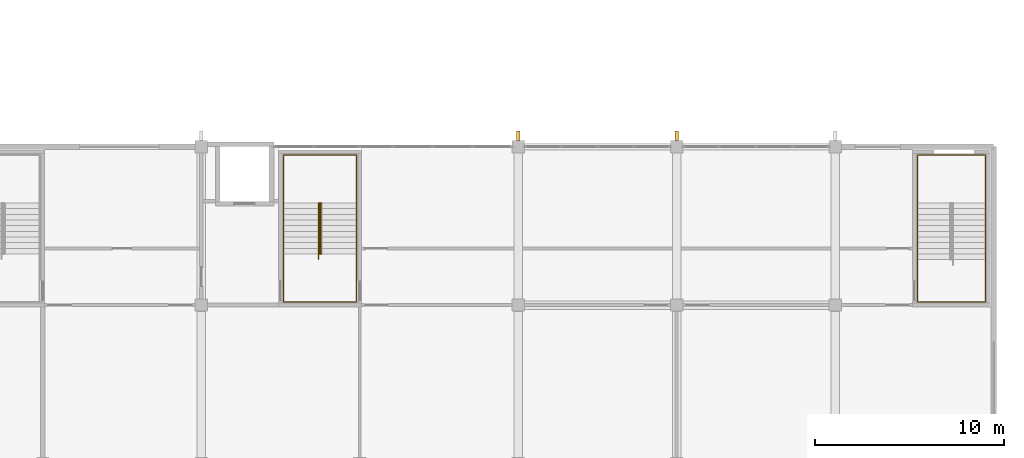
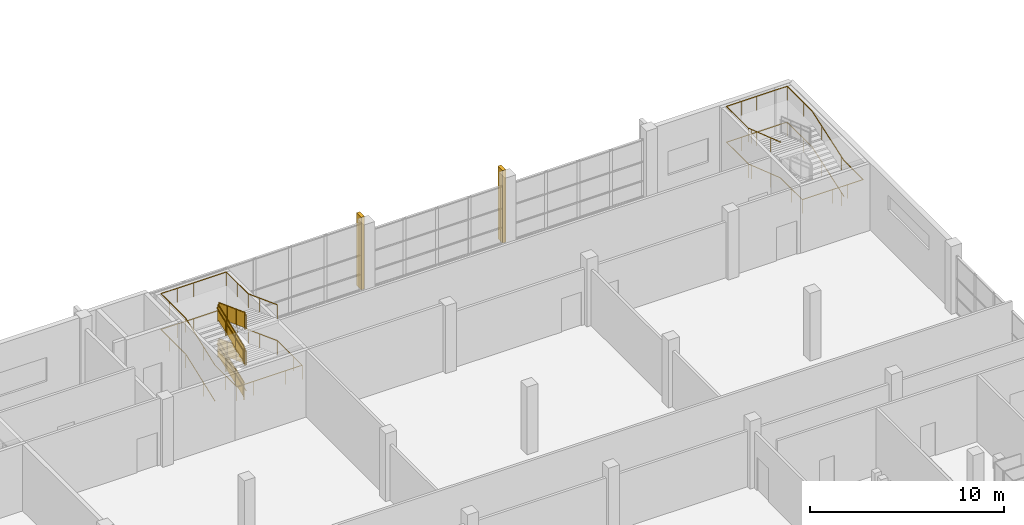
# One storey, part 58 of 64: 7 railings, 2 shading devices.
"""IFC4 building model written with IfcOpenShell, lengths in metres."""

from ifc_helpers import new_model, si_unit, direction, frame, origin, origin_2d, place, context, subcontext, project, spatial, polyline, rectangle, circle, outline, extrude, material, material_profile, profile_set, type_object, element, save


model = new_model("IFC4")

# Units and contexts
model_context = context("Model", 3, precision=1e-05, world=origin(), true_north=direction((0.0, 1.0)))
body_context = subcontext(model_context, "Body", "Model", "MODEL_VIEW")
ifc_project = project(units=[si_unit("LENGTHUNIT", "METRE"), si_unit("AREAUNIT", "SQUARE_METRE"), si_unit("VOLUMEUNIT", "CUBIC_METRE"), si_unit("PLANEANGLEUNIT", "RADIAN"), si_unit("MASSUNIT", "GRAM", prefix="KILO")], contexts=[model_context])

# Site, building, storey
site_placement = place(None, origin())
site = spatial("IfcSite", under=ifc_project, at=site_placement, CompositionType="ELEMENT")
building_placement = place(site_placement, origin())
building = spatial("IfcBuilding", under=site, at=building_placement, Name="Rulbaag Community and Learning Centre", CompositionType="ELEMENT")
storey_placement = place(building_placement, frame((0.0, 0.0, 5.39990234375)))
storey = spatial("IfcBuildingStorey", under=building, at=storey_placement, Name="L01", CompositionType="ELEMENT", Elevation=5.39990234375)

# Shading devices
ifc_material_1 = material(Name="Concrete M40", Category="concrete")
ifc_material_profile = material_profile(ifc_material_1, rectangle(XDim=0.199951171875, YDim=0.5, at=origin_2d()), Name="PC 200x500")
ifc_profile_set = profile_set([ifc_material_profile], Name="Concrete M40")
shading_device_type = type_object("IfcShadingDeviceType", Name="FIN-D", PredefinedType="JALOUSIE", material=ifc_profile_set)
for number, where, z_axis, x_axis, name in (
    (1, (142.800048828125, 50.97509765625, -0.2998046875), (0.0, 0.0, 1.0), (1.0, 0.0, 0.0), "Precast fin"),
    (2, (151.199951171875, 50.97509765625, -0.2998046875), (0.0, 0.0, 1.0), (1.0, 0.0, 0.0), "Precast fin"),
):
    element("IfcShadingDevice", number, at=place(storey_placement, frame(where, z_axis=z_axis, x_axis=x_axis)), inside=storey, type_object=shading_device_type, Name=name, PredefinedType="JALOUSIE", context=body_context, shape_type="SweptSolid", body=[
        extrude(rectangle(XDim=0.199951171875, YDim=0.5, at=origin_2d()), origin(), (0.0, 0.0, 1.0), 4.5498046875),
    ])

# Railings
ifc_material_2 = material(Name="Galvanised mild steel", Category="steel")
railing_type_1 = type_object("IfcRailingType", Name="GR-1100 GUARD 1100", PredefinedType="GUARDRAIL", material=ifc_material_2)
railing_1_placement = place(storey_placement, frame((132.280029296875, 44.71240234375, 0.112548828125)))
element("IfcRailing", 3, at=railing_1_placement, inside=storey, type_object=railing_type_1, Name="Guard SH3 L01 G", PredefinedType="GUARDRAIL", context=body_context, shape_type="SweptSolid", body=[
    extrude(circle(Radius=0.02490234375, at=origin_2d()), frame((0.0, 0.0, 1.0751953125), z_axis=(0.0, 0.936343093598, 0.351086329941), x_axis=(-1.0, 0.0, 0.0)), (0.0, 0.0, 1.0), 2.8837890625),
    extrude(circle(Radius=0.02001953125, at=origin_2d()), origin(), (0.0, 0.0, 1.0), 1.050048828125),
    extrude(circle(Radius=0.02001953125, at=origin_2d()), frame((0.0, 0.900146484375, 0.33740234375)), (0.0, 0.0, 1.0), 1.050048828125),
    extrude(circle(Radius=0.02001953125, at=origin_2d()), frame((0.0, 1.800048828125, 0.675048828125)), (0.0, 0.0, 1.0), 1.050048828125),
    extrude(circle(Radius=0.02001953125, at=origin_2d()), frame((0.0, 2.7001953125, 1.012451171875)), (0.0, 0.0, 1.0), 1.050048828125),
    extrude(outline(polyline([(0.0, 0.0), (2.7001953125, 1.012451171875), (2.7001953125, 1.96240234375), (0.0, 0.949951171875), (0.0, 0.0)])), frame((-0.0048828125, 0.0, 0.10009765625), z_axis=(1.0, 0.0, 0.0), x_axis=(0.0, 1.0, 0.0)), (0.0, 0.0, 1.0), 0.010009765625),
])
railing_2_placement = place(storey_placement, frame((132.320068359375, 47.41259765625, 1.237548828125)))
element("IfcRailing", 4, at=railing_2_placement, inside=storey, type_object=railing_type_1, Name="Guard SH3 L01 G2", PredefinedType="GUARDRAIL", context=body_context, shape_type="SweptSolid", body=[
    extrude(circle(Radius=0.02490234375, at=origin_2d()), frame((0.0, 0.0, 1.0751953125), z_axis=(0.0, -0.936343093598, 0.351086329941), x_axis=(1.0, 0.0, 0.0)), (0.0, 0.0, 1.0), 2.8837890625),
    extrude(circle(Radius=0.02001953125, at=origin_2d()), origin(), (0.0, 0.0, 1.0), 1.050048828125),
    extrude(circle(Radius=0.02001953125, at=origin_2d()), frame((0.0, -0.900146484375, 0.33740234375)), (0.0, 0.0, 1.0), 1.050048828125),
    extrude(circle(Radius=0.02001953125, at=origin_2d()), frame((0.0, -1.800048828125, 0.675048828125)), (0.0, 0.0, 1.0), 1.050048828125),
    extrude(circle(Radius=0.02001953125, at=origin_2d()), frame((0.0, -2.7001953125, 1.012451171875)), (0.0, 0.0, 1.0), 1.050048828125),
    extrude(outline(polyline([(0.0, 0.0), (2.7001953125, 1.012451171875), (2.7001953125, 1.96240234375), (0.0, 0.949951171875), (0.0, 0.0)])), frame((0.0048828125, 0.0, 0.10009765625), z_axis=(-1.0, 0.0, 0.0), x_axis=(0.0, -1.0, 0.0)), (0.0, 0.0, 1.0), 0.010009765625),
])
railing_3_placement = place(storey_placement, frame((132.280029296875, 44.71240234375, 2.362548828125)))
element("IfcRailing", 5, at=railing_3_placement, inside=storey, type_object=railing_type_1, Name="Guard SH3 L01 G3", PredefinedType="GUARDRAIL", context=body_context, shape_type="SweptSolid", body=[
    extrude(circle(Radius=0.02490234375, at=origin_2d()), frame((0.0, 0.0, 1.0751953125), z_axis=(0.0, 0.936343093598, 0.351086329941), x_axis=(-1.0, 0.0, 0.0)), (0.0, 0.0, 1.0), 2.8837890625),
    extrude(circle(Radius=0.02001953125, at=origin_2d()), origin(), (0.0, 0.0, 1.0), 1.050048828125),
    extrude(circle(Radius=0.02001953125, at=origin_2d()), frame((0.0, 0.900146484375, 0.33740234375)), (0.0, 0.0, 1.0), 1.050048828125),
    extrude(circle(Radius=0.02001953125, at=origin_2d()), frame((0.0, 1.800048828125, 0.675048828125)), (0.0, 0.0, 1.0), 1.050048828125),
    extrude(circle(Radius=0.02001953125, at=origin_2d()), frame((0.0, 2.7001953125, 1.012451171875)), (0.0, 0.0, 1.0), 1.050048828125),
    extrude(outline(polyline([(0.0, 0.0), (2.7001953125, 1.012451171875), (2.7001953125, 1.96240234375), (0.0, 0.949951171875), (0.0, 0.0)])), frame((-0.0048828125, 0.0, 0.10009765625), z_axis=(1.0, 0.0, 0.0), x_axis=(0.0, 1.0, 0.0)), (0.0, 0.0, 1.0), 0.010009765625),
])
railing_4_placement = place(storey_placement, frame((132.320068359375, 47.41259765625, 3.487548828125)))
element("IfcRailing", 6, at=railing_4_placement, inside=storey, type_object=railing_type_1, Name="Guard SH3 L01 G4", PredefinedType="GUARDRAIL", context=body_context, shape_type="SweptSolid", body=[
    extrude(circle(Radius=0.02490234375, at=origin_2d()), frame((0.0, 0.0, 1.0751953125), z_axis=(0.0, -0.936343093598, 0.351086329941), x_axis=(1.0, 0.0, 0.0)), (0.0, 0.0, 1.0), 2.8837890625),
    extrude(circle(Radius=0.02001953125, at=origin_2d()), origin(), (0.0, 0.0, 1.0), 1.050048828125),
    extrude(circle(Radius=0.02001953125, at=origin_2d()), frame((0.0, -0.900146484375, 0.33740234375)), (0.0, 0.0, 1.0), 1.050048828125),
    extrude(circle(Radius=0.02001953125, at=origin_2d()), frame((0.0, -1.800048828125, 0.675048828125)), (0.0, 0.0, 1.0), 1.050048828125),
    extrude(circle(Radius=0.02001953125, at=origin_2d()), frame((0.0, -2.7001953125, 1.012451171875)), (0.0, 0.0, 1.0), 1.050048828125),
    extrude(outline(polyline([(0.0, 0.0), (2.7001953125, 1.012451171875), (2.7001953125, 1.96240234375), (0.0, 0.949951171875), (0.0, 0.0)])), frame((0.0048828125, 0.0, 0.10009765625), z_axis=(-1.0, 0.0, 0.0), x_axis=(0.0, -1.0, 0.0)), (0.0, 0.0, 1.0), 0.010009765625),
])
ifc_material_3 = material(Name="Stainless steel grade 316", Category="steel")
railing_type_2 = type_object("IfcRailingType", Name="HR-900 HANDRAIL 900", PredefinedType="HANDRAIL", material=ifc_material_3)
railing_5_placement = place(storey_placement, frame((130.360107421875, 44.41259765625, 0.0)))
element("IfcRailing", 7, at=railing_5_placement, inside=storey, type_object=railing_type_2, Name="Handrail SH3 L01 O", PredefinedType="HANDRAIL", context=body_context, shape_type="SweptSolid", body=[
    extrude(circle(Radius=0.024169921875, at=origin_2d()), frame((0.0, 0.0, 0.875732421875), z_axis=(0.0, 0.936203795034, 0.351457613608), x_axis=(-1.0, 0.0, 0.0)), (0.0, 0.0, 1.0), 0.3203125),
    extrude(circle(Radius=0.024169921875, at=origin_2d()), frame((0.0, 0.2998046875, 0.98828125), z_axis=(0.0, 0.936343093598, 0.351086329941), x_axis=(-1.0, 0.0, 0.0)), (0.0, 0.0, 1.0), 2.8837890625),
    extrude(circle(Radius=0.024169921875, at=origin_2d()), frame((0.0, 3.0, 2.000732421875), z_axis=(0.0, 1.0, 0.0), x_axis=(-1.0, 0.0, 0.0)), (0.0, 0.0, 1.0), 2.552490234375),
    extrude(circle(Radius=0.024169921875, at=origin_2d()), frame((0.0, 5.552490234375, 2.000732421875), z_axis=(1.0, 0.0, 0.0), x_axis=(0.0, 1.0, 0.0)), (0.0, 0.0, 1.0), 3.8798828125),
    extrude(circle(Radius=0.024169921875, at=origin_2d()), frame((3.8798828125, 5.552490234375, 2.000732421875), z_axis=(0.0, -1.0, 0.0), x_axis=(1.0, 0.0, 0.0)), (0.0, 0.0, 1.0), 2.252685546875),
    extrude(circle(Radius=0.024169921875, at=origin_2d()), frame((3.8798828125, 3.2998046875, 2.000732421875), z_axis=(0.0, -0.936203795034, 0.351457613608), x_axis=(1.0, 0.0, 0.0)), (0.0, 0.0, 1.0), 0.3203125),
    extrude(circle(Radius=0.024169921875, at=origin_2d()), frame((3.8798828125, 3.0, 2.11328125), z_axis=(0.0, -0.936343093598, 0.351086329941), x_axis=(1.0, 0.0, 0.0)), (0.0, 0.0, 1.0), 2.8837890625),
    extrude(circle(Radius=0.024169921875, at=origin_2d()), frame((3.8798828125, 0.2998046875, 3.125732421875), z_axis=(0.0, -1.0, 0.0), x_axis=(1.0, 0.0, 0.0)), (0.0, 0.0, 1.0), 2.552490234375),
    extrude(circle(Radius=0.024169921875, at=origin_2d()), frame((3.8798828125, -2.252685546875, 3.125732421875), z_axis=(-1.0, 0.0, 0.0), x_axis=(0.0, -1.0, 0.0)), (0.0, 0.0, 1.0), 3.8798828125),
    extrude(circle(Radius=0.024169921875, at=origin_2d()), frame((0.0, -2.252685546875, 3.125732421875), z_axis=(0.0, 1.0, 0.0), x_axis=(-1.0, 0.0, 0.0)), (0.0, 0.0, 1.0), 2.252685546875),
    extrude(circle(Radius=0.024169921875, at=origin_2d()), frame((0.0, 0.0, 3.125732421875), z_axis=(0.0, 0.936203795034, 0.351457613608), x_axis=(-1.0, 0.0, 0.0)), (0.0, 0.0, 1.0), 0.3203125),
    extrude(circle(Radius=0.024169921875, at=origin_2d()), frame((0.0, 0.2998046875, 3.23828125), z_axis=(0.0, 0.936343093598, 0.351086329941), x_axis=(-1.0, 0.0, 0.0)), (0.0, 0.0, 1.0), 2.8837890625),
    extrude(circle(Radius=0.024169921875, at=origin_2d()), frame((0.0, 3.0, 4.250732421875), z_axis=(0.0, 1.0, 0.0), x_axis=(-1.0, 0.0, 0.0)), (0.0, 0.0, 1.0), 2.552490234375),
    extrude(circle(Radius=0.024169921875, at=origin_2d()), frame((0.0, 5.552490234375, 4.250732421875), z_axis=(1.0, 0.0, 0.0), x_axis=(0.0, 1.0, 0.0)), (0.0, 0.0, 1.0), 3.8798828125),
    extrude(circle(Radius=0.024169921875, at=origin_2d()), frame((3.8798828125, 5.552490234375, 4.250732421875), z_axis=(0.0, -1.0, 0.0), x_axis=(1.0, 0.0, 0.0)), (0.0, 0.0, 1.0), 2.252685546875),
    extrude(circle(Radius=0.024169921875, at=origin_2d()), frame((3.8798828125, 3.2998046875, 4.250732421875), z_axis=(0.0, -0.936203795034, 0.351457613608), x_axis=(1.0, 0.0, 0.0)), (0.0, 0.0, 1.0), 0.3203125),
    extrude(circle(Radius=0.024169921875, at=origin_2d()), frame((3.8798828125, 3.0, 4.36328125), z_axis=(0.0, -0.936343093598, 0.351086329941), x_axis=(1.0, 0.0, 0.0)), (0.0, 0.0, 1.0), 2.8837890625),
    extrude(circle(Radius=0.008056640625, at=origin_2d()), origin(), (0.0, 0.0, 1.0), 0.8515625),
    extrude(circle(Radius=0.008056640625, at=origin_2d()), frame((0.0, 0.2998046875, 0.112548828125)), (0.0, 0.0, 1.0), 0.8515625),
    extrude(circle(Radius=0.008056640625, at=origin_2d()), frame((0.0, 1.199951171875, 0.449951171875)), (0.0, 0.0, 1.0), 0.8515625),
    extrude(circle(Radius=0.008056640625, at=origin_2d()), frame((0.0, 2.099853515625, 0.78759765625)), (0.0, 0.0, 1.0), 0.8515625),
    extrude(circle(Radius=0.008056640625, at=origin_2d()), frame((0.0, 3.0, 1.125)), (0.0, 0.0, 1.0), 0.8515625),
    extrude(circle(Radius=0.008056640625, at=origin_2d()), frame((0.0, 3.850830078125, 1.125)), (0.0, 0.0, 1.0), 0.8515625),
    extrude(circle(Radius=0.008056640625, at=origin_2d()), frame((0.0, 4.70166015625, 1.125)), (0.0, 0.0, 1.0), 0.8515625),
    extrude(circle(Radius=0.008056640625, at=origin_2d()), frame((0.0, 5.552490234375, 1.125)), (0.0, 0.0, 1.0), 0.8515625),
    extrude(circle(Radius=0.008056640625, at=origin_2d()), frame((0.969970703125, 5.552490234375, 1.125)), (0.0, 0.0, 1.0), 0.8515625),
    extrude(circle(Radius=0.008056640625, at=origin_2d()), frame((1.93994140625, 5.552490234375, 1.125)), (0.0, 0.0, 1.0), 0.8515625),
    extrude(circle(Radius=0.008056640625, at=origin_2d()), frame((2.909912109375, 5.552490234375, 1.125)), (0.0, 0.0, 1.0), 0.8515625),
    extrude(circle(Radius=0.008056640625, at=origin_2d()), frame((3.8798828125, 5.552490234375, 1.125)), (0.0, 0.0, 1.0), 0.8515625),
    extrude(circle(Radius=0.008056640625, at=origin_2d()), frame((3.8798828125, 4.42626953125, 1.125)), (0.0, 0.0, 1.0), 0.8515625),
    extrude(circle(Radius=0.008056640625, at=origin_2d()), frame((3.8798828125, 3.2998046875, 1.125)), (0.0, 0.0, 1.0), 0.8515625),
    extrude(circle(Radius=0.008056640625, at=origin_2d()), frame((3.8798828125, 3.0, 1.237548828125)), (0.0, 0.0, 1.0), 0.8515625),
    extrude(circle(Radius=0.008056640625, at=origin_2d()), frame((3.8798828125, 2.099853515625, 1.574951171875)), (0.0, 0.0, 1.0), 0.8515625),
    extrude(circle(Radius=0.008056640625, at=origin_2d()), frame((3.8798828125, 1.199951171875, 1.91259765625)), (0.0, 0.0, 1.0), 0.8515625),
    extrude(circle(Radius=0.008056640625, at=origin_2d()), frame((3.8798828125, 0.2998046875, 2.25)), (0.0, 0.0, 1.0), 0.8515625),
    extrude(circle(Radius=0.008056640625, at=origin_2d()), frame((3.8798828125, -0.551025390625, 2.25)), (0.0, 0.0, 1.0), 0.8515625),
    extrude(circle(Radius=0.008056640625, at=origin_2d()), frame((3.8798828125, -1.40185546875, 2.25)), (0.0, 0.0, 1.0), 0.8515625),
    extrude(circle(Radius=0.008056640625, at=origin_2d()), frame((3.8798828125, -2.252685546875, 2.25)), (0.0, 0.0, 1.0), 0.8515625),
    extrude(circle(Radius=0.008056640625, at=origin_2d()), frame((2.909912109375, -2.252685546875, 2.25)), (0.0, 0.0, 1.0), 0.8515625),
    extrude(circle(Radius=0.008056640625, at=origin_2d()), frame((1.93994140625, -2.252685546875, 2.25)), (0.0, 0.0, 1.0), 0.8515625),
    extrude(circle(Radius=0.008056640625, at=origin_2d()), frame((0.969970703125, -2.252685546875, 2.25)), (0.0, 0.0, 1.0), 0.8515625),
    extrude(circle(Radius=0.008056640625, at=origin_2d()), frame((0.0, -2.252685546875, 2.25)), (0.0, 0.0, 1.0), 0.8515625),
    extrude(circle(Radius=0.008056640625, at=origin_2d()), frame((0.0, -1.12646484375, 2.25)), (0.0, 0.0, 1.0), 0.8515625),
    extrude(circle(Radius=0.008056640625, at=origin_2d()), frame((0.0, 0.0, 2.25)), (0.0, 0.0, 1.0), 0.8515625),
    extrude(circle(Radius=0.008056640625, at=origin_2d()), frame((0.0, 0.2998046875, 2.362548828125)), (0.0, 0.0, 1.0), 0.8515625),
    extrude(circle(Radius=0.008056640625, at=origin_2d()), frame((0.0, 1.199951171875, 2.699951171875)), (0.0, 0.0, 1.0), 0.8515625),
    extrude(circle(Radius=0.008056640625, at=origin_2d()), frame((0.0, 2.099853515625, 3.03759765625)), (0.0, 0.0, 1.0), 0.8515625),
    extrude(circle(Radius=0.008056640625, at=origin_2d()), frame((0.0, 3.0, 3.375)), (0.0, 0.0, 1.0), 0.8515625),
    extrude(circle(Radius=0.008056640625, at=origin_2d()), frame((0.0, 3.850830078125, 3.375)), (0.0, 0.0, 1.0), 0.8515625),
    extrude(circle(Radius=0.008056640625, at=origin_2d()), frame((0.0, 4.70166015625, 3.375)), (0.0, 0.0, 1.0), 0.8515625),
    extrude(circle(Radius=0.008056640625, at=origin_2d()), frame((0.0, 5.552490234375, 3.375)), (0.0, 0.0, 1.0), 0.8515625),
    extrude(circle(Radius=0.008056640625, at=origin_2d()), frame((0.969970703125, 5.552490234375, 3.375)), (0.0, 0.0, 1.0), 0.8515625),
    extrude(circle(Radius=0.008056640625, at=origin_2d()), frame((1.93994140625, 5.552490234375, 3.375)), (0.0, 0.0, 1.0), 0.8515625),
    extrude(circle(Radius=0.008056640625, at=origin_2d()), frame((2.909912109375, 5.552490234375, 3.375)), (0.0, 0.0, 1.0), 0.8515625),
    extrude(circle(Radius=0.008056640625, at=origin_2d()), frame((3.8798828125, 5.552490234375, 3.375)), (0.0, 0.0, 1.0), 0.8515625),
    extrude(circle(Radius=0.008056640625, at=origin_2d()), frame((3.8798828125, 4.42626953125, 3.375)), (0.0, 0.0, 1.0), 0.8515625),
    extrude(circle(Radius=0.008056640625, at=origin_2d()), frame((3.8798828125, 3.2998046875, 3.375)), (0.0, 0.0, 1.0), 0.8515625),
    extrude(circle(Radius=0.008056640625, at=origin_2d()), frame((3.8798828125, 3.0, 3.487548828125)), (0.0, 0.0, 1.0), 0.8515625),
    extrude(circle(Radius=0.008056640625, at=origin_2d()), frame((3.8798828125, 2.099853515625, 3.824951171875)), (0.0, 0.0, 1.0), 0.8515625),
    extrude(circle(Radius=0.008056640625, at=origin_2d()), frame((3.8798828125, 1.199951171875, 4.16259765625)), (0.0, 0.0, 1.0), 0.8515625),
    extrude(circle(Radius=0.008056640625, at=origin_2d()), frame((3.8798828125, 0.2998046875, 4.5)), (0.0, 0.0, 1.0), 0.8515625),
])
railing_6_placement = place(storey_placement, frame((132.2099609375, 44.41259765625, 0.0)))
element("IfcRailing", 8, at=railing_6_placement, inside=storey, type_object=railing_type_2, Name="Handrail SH3 L01 I", PredefinedType="HANDRAIL", context=body_context, shape_type="SweptSolid", body=[
    extrude(circle(Radius=0.024169921875, at=origin_2d()), frame((0.0, 0.0, 0.875732421875), z_axis=(0.0, 0.936203795034, 0.351457613608), x_axis=(-1.0, 0.0, 0.0)), (0.0, 0.0, 1.0), 0.3203125),
    extrude(circle(Radius=0.024169921875, at=origin_2d()), frame((0.0, 0.2998046875, 0.98828125), z_axis=(0.0, 0.936343093598, 0.351086329941), x_axis=(-1.0, 0.0, 0.0)), (0.0, 0.0, 1.0), 2.8837890625),
    extrude(circle(Radius=0.024169921875, at=origin_2d()), frame((0.0, 3.0, 2.000732421875), z_axis=(0.847804368873, 0.0, 0.530309109973), x_axis=(0.0, 1.0, 0.0)), (0.0, 0.0, 1.0), 0.212158203125),
    extrude(circle(Radius=0.024169921875, at=origin_2d()), frame((0.179931640625, 3.0, 2.11328125), z_axis=(0.0, -0.936343093598, 0.351086329941), x_axis=(1.0, 0.0, 0.0)), (0.0, 0.0, 1.0), 2.8837890625),
    extrude(circle(Radius=0.024169921875, at=origin_2d()), frame((0.179931640625, 0.2998046875, 3.125732421875), z_axis=(-0.847804368873, 0.0, 0.530309109973), x_axis=(0.0, -1.0, 0.0)), (0.0, 0.0, 1.0), 0.212158203125),
    extrude(circle(Radius=0.024169921875, at=origin_2d()), frame((0.0, 0.2998046875, 3.23828125), z_axis=(0.0, 0.936343093598, 0.351086329941), x_axis=(-1.0, 0.0, 0.0)), (0.0, 0.0, 1.0), 2.8837890625),
    extrude(circle(Radius=0.024169921875, at=origin_2d()), frame((0.0, 3.0, 4.250732421875), z_axis=(0.847804368873, 0.0, 0.530309109973), x_axis=(0.0, 1.0, 0.0)), (0.0, 0.0, 1.0), 0.212158203125),
    extrude(circle(Radius=0.024169921875, at=origin_2d()), frame((0.179931640625, 3.0, 4.36328125), z_axis=(0.0, -0.936343093598, 0.351086329941), x_axis=(1.0, 0.0, 0.0)), (0.0, 0.0, 1.0), 2.8837890625),
    extrude(circle(Radius=0.008056640625, at=origin_2d()), origin(), (0.0, 0.0, 1.0), 0.8515625),
    extrude(circle(Radius=0.008056640625, at=origin_2d()), frame((0.0, 0.2998046875, 0.112548828125)), (0.0, 0.0, 1.0), 0.8515625),
    extrude(circle(Radius=0.008056640625, at=origin_2d()), frame((0.0, 1.199951171875, 0.449951171875)), (0.0, 0.0, 1.0), 0.8515625),
    extrude(circle(Radius=0.008056640625, at=origin_2d()), frame((0.0, 2.099853515625, 0.78759765625)), (0.0, 0.0, 1.0), 0.8515625),
    extrude(circle(Radius=0.008056640625, at=origin_2d()), frame((0.0, 3.0, 1.125)), (0.0, 0.0, 1.0), 0.8515625),
    extrude(circle(Radius=0.008056640625, at=origin_2d()), frame((0.179931640625, 3.0, 1.237548828125)), (0.0, 0.0, 1.0), 0.8515625),
    extrude(circle(Radius=0.008056640625, at=origin_2d()), frame((0.179931640625, 2.099853515625, 1.574951171875)), (0.0, 0.0, 1.0), 0.8515625),
    extrude(circle(Radius=0.008056640625, at=origin_2d()), frame((0.179931640625, 1.199951171875, 1.91259765625)), (0.0, 0.0, 1.0), 0.8515625),
    extrude(circle(Radius=0.008056640625, at=origin_2d()), frame((0.179931640625, 0.2998046875, 2.25)), (0.0, 0.0, 1.0), 0.8515625),
    extrude(circle(Radius=0.008056640625, at=origin_2d()), frame((0.0, 0.2998046875, 2.362548828125)), (0.0, 0.0, 1.0), 0.8515625),
    extrude(circle(Radius=0.008056640625, at=origin_2d()), frame((0.0, 1.199951171875, 2.699951171875)), (0.0, 0.0, 1.0), 0.8515625),
    extrude(circle(Radius=0.008056640625, at=origin_2d()), frame((0.0, 2.099853515625, 3.03759765625)), (0.0, 0.0, 1.0), 0.8515625),
    extrude(circle(Radius=0.008056640625, at=origin_2d()), frame((0.0, 3.0, 3.375)), (0.0, 0.0, 1.0), 0.8515625),
    extrude(circle(Radius=0.008056640625, at=origin_2d()), frame((0.179931640625, 3.0, 3.487548828125)), (0.0, 0.0, 1.0), 0.8515625),
    extrude(circle(Radius=0.008056640625, at=origin_2d()), frame((0.179931640625, 2.099853515625, 3.824951171875)), (0.0, 0.0, 1.0), 0.8515625),
    extrude(circle(Radius=0.008056640625, at=origin_2d()), frame((0.179931640625, 1.199951171875, 4.16259765625)), (0.0, 0.0, 1.0), 0.8515625),
    extrude(circle(Radius=0.008056640625, at=origin_2d()), frame((0.179931640625, 0.2998046875, 4.5)), (0.0, 0.0, 1.0), 0.8515625),
])
railing_7_placement = place(storey_placement, frame((167.56494140625, 44.112548828125, 0.0)))
element("IfcRailing", 9, at=railing_7_placement, inside=storey, type_object=railing_type_2, Name="Handrail SH4 L01 O", PredefinedType="HANDRAIL", context=body_context, shape_type="SweptSolid", body=[
    extrude(circle(Radius=0.024169921875, at=origin_2d()), frame((0.0, 0.0, 0.875732421875), z_axis=(0.0, 0.946504842313, 0.322689608567), x_axis=(-1.0, 0.0, 0.0)), (0.0, 0.0, 1.0), 0.31689453125),
    extrude(circle(Radius=0.024169921875, at=origin_2d()), frame((0.0, 0.300048828125, 0.97802734375), z_axis=(0.0, 0.946512326817, 0.322667654381), x_axis=(-1.0, 0.0, 0.0)), (0.0, 0.0, 1.0), 3.16943359375),
    extrude(circle(Radius=0.024169921875, at=origin_2d()), frame((0.0, 3.300048828125, 2.000732421875), z_axis=(0.0, 1.0, 0.0), x_axis=(-1.0, 0.0, 0.0)), (0.0, 0.0, 1.0), 2.552490234375),
    extrude(circle(Radius=0.024169921875, at=origin_2d()), frame((0.0, 5.8525390625, 2.000732421875), z_axis=(-1.0, 0.0, 0.0), x_axis=(0.0, -1.0, 0.0)), (0.0, 0.0, 1.0), 3.60498046875),
    extrude(circle(Radius=0.024169921875, at=origin_2d()), frame((-3.60498046875, 5.8525390625, 2.000732421875), z_axis=(0.0, -1.0, 0.0), x_axis=(1.0, 0.0, 0.0)), (0.0, 0.0, 1.0), 2.252685546875),
    extrude(circle(Radius=0.024169921875, at=origin_2d()), frame((-3.60498046875, 3.599853515625, 2.000732421875), z_axis=(0.0, -0.946424560722, 0.322924992624), x_axis=(1.0, 0.0, 0.0)), (0.0, 0.0, 1.0), 0.31689453125),
    extrude(circle(Radius=0.024169921875, at=origin_2d()), frame((-3.60498046875, 3.300048828125, 2.10302734375), z_axis=(0.0, -0.946512326817, 0.322667654381), x_axis=(1.0, 0.0, 0.0)), (0.0, 0.0, 1.0), 3.16943359375),
    extrude(circle(Radius=0.024169921875, at=origin_2d()), frame((-3.60498046875, 0.300048828125, 3.125732421875), z_axis=(0.0, -1.0, 0.0), x_axis=(1.0, 0.0, 0.0)), (0.0, 0.0, 1.0), 2.252685546875),
    extrude(circle(Radius=0.024169921875, at=origin_2d()), frame((-3.60498046875, -1.95263671875, 3.125732421875), z_axis=(1.0, 0.0, 0.0), x_axis=(0.0, 1.0, 0.0)), (0.0, 0.0, 1.0), 3.60498046875),
    extrude(circle(Radius=0.024169921875, at=origin_2d()), frame((0.0, -1.95263671875, 3.125732421875), z_axis=(0.0, 1.0, 0.0), x_axis=(-1.0, 0.0, 0.0)), (0.0, 0.0, 1.0), 1.95263671875),
    extrude(circle(Radius=0.024169921875, at=origin_2d()), frame((0.0, 0.0, 3.125732421875), z_axis=(0.0, 0.946504842313, 0.322689608567), x_axis=(-1.0, 0.0, 0.0)), (0.0, 0.0, 1.0), 0.31689453125),
    extrude(circle(Radius=0.024169921875, at=origin_2d()), frame((0.0, 0.300048828125, 3.22802734375), z_axis=(0.0, 0.946512326817, 0.322667654381), x_axis=(-1.0, 0.0, 0.0)), (0.0, 0.0, 1.0), 3.16943359375),
    extrude(circle(Radius=0.024169921875, at=origin_2d()), frame((0.0, 3.300048828125, 4.250732421875), z_axis=(0.0, 1.0, 0.0), x_axis=(-1.0, 0.0, 0.0)), (0.0, 0.0, 1.0), 2.552490234375),
    extrude(circle(Radius=0.024169921875, at=origin_2d()), frame((0.0, 5.8525390625, 4.250732421875), z_axis=(-1.0, 0.0, 0.0), x_axis=(0.0, -1.0, 0.0)), (0.0, 0.0, 1.0), 3.60498046875),
    extrude(circle(Radius=0.024169921875, at=origin_2d()), frame((-3.60498046875, 5.8525390625, 4.250732421875), z_axis=(0.0, -1.0, 0.0), x_axis=(1.0, 0.0, 0.0)), (0.0, 0.0, 1.0), 2.252685546875),
    extrude(circle(Radius=0.024169921875, at=origin_2d()), frame((-3.60498046875, 3.599853515625, 4.250732421875), z_axis=(0.0, -0.946424560722, 0.322924992624), x_axis=(1.0, 0.0, 0.0)), (0.0, 0.0, 1.0), 0.31689453125),
    extrude(circle(Radius=0.024169921875, at=origin_2d()), frame((-3.60498046875, 3.300048828125, 4.35302734375), z_axis=(0.0, -0.946512326817, 0.322667654381), x_axis=(1.0, 0.0, 0.0)), (0.0, 0.0, 1.0), 3.16943359375),
    extrude(circle(Radius=0.008056640625, at=origin_2d()), origin(), (0.0, 0.0, 1.0), 0.8515625),
    extrude(circle(Radius=0.008056640625, at=origin_2d()), frame((0.0, 0.300048828125, 0.102294921875)), (0.0, 0.0, 1.0), 0.8515625),
    extrude(circle(Radius=0.008056640625, at=origin_2d()), frame((0.0, 1.300048828125, 0.443115234375)), (0.0, 0.0, 1.0), 0.8515625),
    extrude(circle(Radius=0.008056640625, at=origin_2d()), frame((0.0, 2.300048828125, 0.7841796875)), (0.0, 0.0, 1.0), 0.8515625),
    extrude(circle(Radius=0.008056640625, at=origin_2d()), frame((0.0, 3.300048828125, 1.125)), (0.0, 0.0, 1.0), 0.8515625),
    extrude(circle(Radius=0.008056640625, at=origin_2d()), frame((0.0, 4.15087890625, 1.125)), (0.0, 0.0, 1.0), 0.8515625),
    extrude(circle(Radius=0.008056640625, at=origin_2d()), frame((0.0, 5.001708984375, 1.125)), (0.0, 0.0, 1.0), 0.8515625),
    extrude(circle(Radius=0.008056640625, at=origin_2d()), frame((0.0, 5.8525390625, 1.125)), (0.0, 0.0, 1.0), 0.8515625),
    extrude(circle(Radius=0.008056640625, at=origin_2d()), frame((-0.9013671875, 5.8525390625, 1.125)), (0.0, 0.0, 1.0), 0.8515625),
    extrude(circle(Radius=0.008056640625, at=origin_2d()), frame((-1.802490234375, 5.8525390625, 1.125)), (0.0, 0.0, 1.0), 0.8515625),
    extrude(circle(Radius=0.008056640625, at=origin_2d()), frame((-2.70361328125, 5.8525390625, 1.125)), (0.0, 0.0, 1.0), 0.8515625),
    extrude(circle(Radius=0.008056640625, at=origin_2d()), frame((-3.60498046875, 5.8525390625, 1.125)), (0.0, 0.0, 1.0), 0.8515625),
    extrude(circle(Radius=0.008056640625, at=origin_2d()), frame((-3.60498046875, 4.72607421875, 1.125)), (0.0, 0.0, 1.0), 0.8515625),
    extrude(circle(Radius=0.008056640625, at=origin_2d()), frame((-3.60498046875, 3.599853515625, 1.125)), (0.0, 0.0, 1.0), 0.8515625),
    extrude(circle(Radius=0.008056640625, at=origin_2d()), frame((-3.60498046875, 3.300048828125, 1.227294921875)), (0.0, 0.0, 1.0), 0.8515625),
    extrude(circle(Radius=0.008056640625, at=origin_2d()), frame((-3.60498046875, 2.300048828125, 1.568115234375)), (0.0, 0.0, 1.0), 0.8515625),
    extrude(circle(Radius=0.008056640625, at=origin_2d()), frame((-3.60498046875, 1.300048828125, 1.9091796875)), (0.0, 0.0, 1.0), 0.8515625),
    extrude(circle(Radius=0.008056640625, at=origin_2d()), frame((-3.60498046875, 0.300048828125, 2.25)), (0.0, 0.0, 1.0), 0.8515625),
    extrude(circle(Radius=0.008056640625, at=origin_2d()), frame((-3.60498046875, -0.826171875, 2.25)), (0.0, 0.0, 1.0), 0.8515625),
    extrude(circle(Radius=0.008056640625, at=origin_2d()), frame((-3.60498046875, -1.95263671875, 2.25)), (0.0, 0.0, 1.0), 0.8515625),
    extrude(circle(Radius=0.008056640625, at=origin_2d()), frame((-2.70361328125, -1.95263671875, 2.25)), (0.0, 0.0, 1.0), 0.8515625),
    extrude(circle(Radius=0.008056640625, at=origin_2d()), frame((-1.802490234375, -1.95263671875, 2.25)), (0.0, 0.0, 1.0), 0.8515625),
    extrude(circle(Radius=0.008056640625, at=origin_2d()), frame((-0.9013671875, -1.95263671875, 2.25)), (0.0, 0.0, 1.0), 0.8515625),
    extrude(circle(Radius=0.008056640625, at=origin_2d()), frame((0.0, -1.95263671875, 2.25)), (0.0, 0.0, 1.0), 0.8515625),
    extrude(circle(Radius=0.008056640625, at=origin_2d()), frame((0.0, -0.976318359375, 2.25)), (0.0, 0.0, 1.0), 0.8515625),
    extrude(circle(Radius=0.008056640625, at=origin_2d()), frame((0.0, 0.0, 2.25)), (0.0, 0.0, 1.0), 0.8515625),
    extrude(circle(Radius=0.008056640625, at=origin_2d()), frame((0.0, 0.300048828125, 2.352294921875)), (0.0, 0.0, 1.0), 0.8515625),
    extrude(circle(Radius=0.008056640625, at=origin_2d()), frame((0.0, 1.300048828125, 2.693115234375)), (0.0, 0.0, 1.0), 0.8515625),
    extrude(circle(Radius=0.008056640625, at=origin_2d()), frame((0.0, 2.300048828125, 3.0341796875)), (0.0, 0.0, 1.0), 0.8515625),
    extrude(circle(Radius=0.008056640625, at=origin_2d()), frame((0.0, 3.300048828125, 3.375)), (0.0, 0.0, 1.0), 0.8515625),
    extrude(circle(Radius=0.008056640625, at=origin_2d()), frame((0.0, 4.15087890625, 3.375)), (0.0, 0.0, 1.0), 0.8515625),
    extrude(circle(Radius=0.008056640625, at=origin_2d()), frame((0.0, 5.001708984375, 3.375)), (0.0, 0.0, 1.0), 0.8515625),
    extrude(circle(Radius=0.008056640625, at=origin_2d()), frame((0.0, 5.8525390625, 3.375)), (0.0, 0.0, 1.0), 0.8515625),
    extrude(circle(Radius=0.008056640625, at=origin_2d()), frame((-0.9013671875, 5.8525390625, 3.375)), (0.0, 0.0, 1.0), 0.8515625),
    extrude(circle(Radius=0.008056640625, at=origin_2d()), frame((-1.802490234375, 5.8525390625, 3.375)), (0.0, 0.0, 1.0), 0.8515625),
    extrude(circle(Radius=0.008056640625, at=origin_2d()), frame((-2.70361328125, 5.8525390625, 3.375)), (0.0, 0.0, 1.0), 0.8515625),
    extrude(circle(Radius=0.008056640625, at=origin_2d()), frame((-3.60498046875, 5.8525390625, 3.375)), (0.0, 0.0, 1.0), 0.8515625),
    extrude(circle(Radius=0.008056640625, at=origin_2d()), frame((-3.60498046875, 4.72607421875, 3.375)), (0.0, 0.0, 1.0), 0.8515625),
    extrude(circle(Radius=0.008056640625, at=origin_2d()), frame((-3.60498046875, 3.599853515625, 3.375)), (0.0, 0.0, 1.0), 0.8515625),
    extrude(circle(Radius=0.008056640625, at=origin_2d()), frame((-3.60498046875, 3.300048828125, 3.477294921875)), (0.0, 0.0, 1.0), 0.8515625),
    extrude(circle(Radius=0.008056640625, at=origin_2d()), frame((-3.60498046875, 2.300048828125, 3.818115234375)), (0.0, 0.0, 1.0), 0.8515625),
    extrude(circle(Radius=0.008056640625, at=origin_2d()), frame((-3.60498046875, 1.300048828125, 4.1591796875)), (0.0, 0.0, 1.0), 0.8515625),
    extrude(circle(Radius=0.008056640625, at=origin_2d()), frame((-3.60498046875, 0.300048828125, 4.5)), (0.0, 0.0, 1.0), 0.8515625),
])

save(model, "model.ifc")
